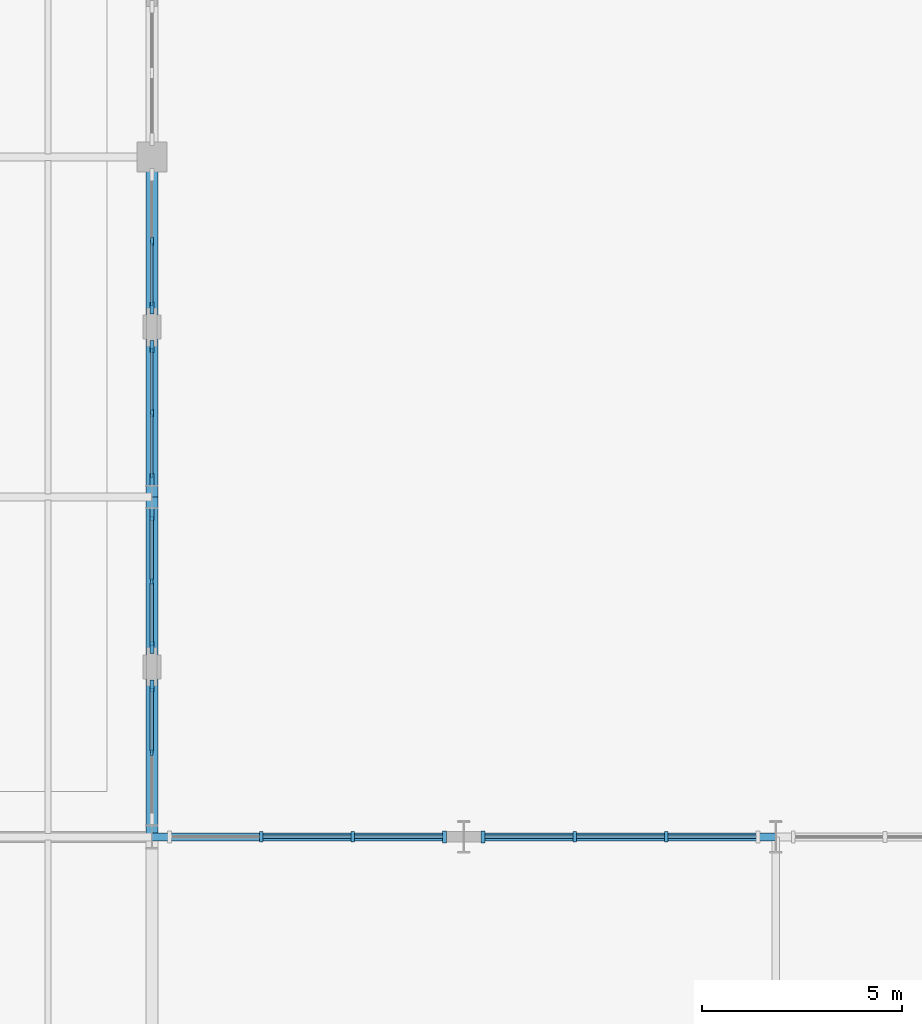
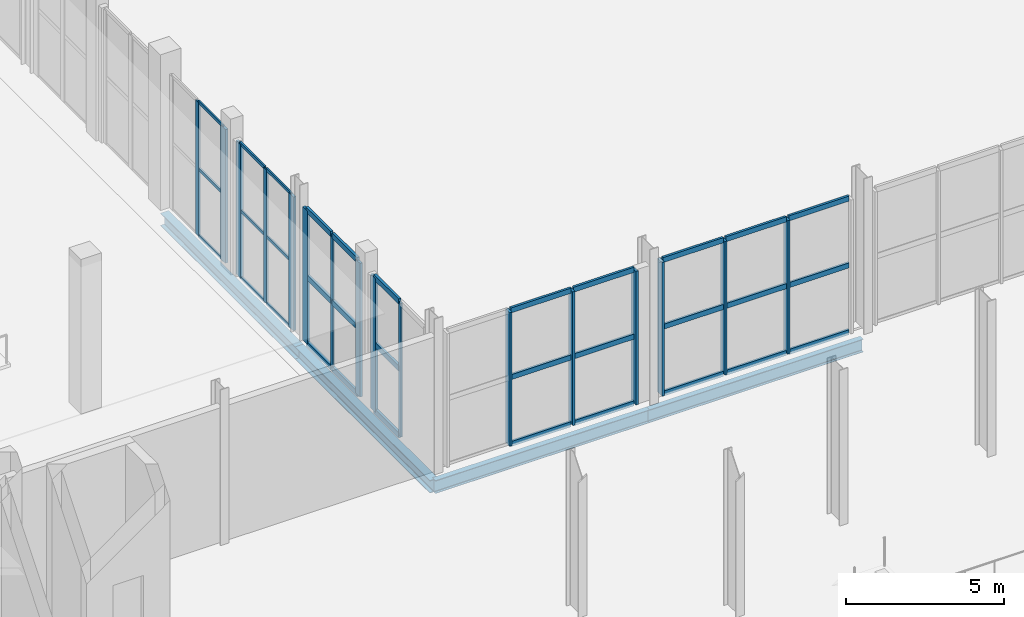
# One storey, part 22 of 84: 49 members, 4 beams, 6 elements without a shape of their own.
"""IFC4 building model written with IfcOpenShell, lengths in metres."""

from ifc_helpers import new_model, si_unit, direction, frame, origin, origin_2d, place, context, subcontext, project, spatial, rectangle, i_section, extrude, material, layer, layer_set, material_profile, profile_set, type_object, element, aggregate, save


model = new_model("IFC4")

# Units and contexts
model_context = context("Model", 3, precision=1e-05, world=origin(), true_north=direction((0.0, 1.0)))
body_context = subcontext(model_context, "Body", "Model", "MODEL_VIEW")
ifc_project = project(units=[si_unit("LENGTHUNIT", "METRE"), si_unit("AREAUNIT", "SQUARE_METRE"), si_unit("VOLUMEUNIT", "CUBIC_METRE"), si_unit("PLANEANGLEUNIT", "RADIAN"), si_unit("MASSUNIT", "GRAM", prefix="KILO")], contexts=[model_context])

# Site, building, storey
site_placement = place(None, origin())
site = spatial("IfcSite", under=ifc_project, at=site_placement, CompositionType="ELEMENT")
building_placement = place(site_placement, origin())
building = spatial("IfcBuilding", under=site, at=building_placement, Name="Sefraquen Railside Congress Hotel", CompositionType="ELEMENT")
storey_placement = place(building_placement, origin())
storey = spatial("IfcBuildingStorey", under=building, at=storey_placement, Name="L00", CompositionType="ELEMENT", Elevation=0.0)

# Beams
ifc_material_1 = material(Name="Steel S355JR", Category="steel")
ifc_material_profile_1 = material_profile(ifc_material_1, i_section(OverallWidth=0.199951171875, OverallDepth=0.5, WebThickness=0.01025390625, FlangeThickness=0.01611328125, FilletRadius=0.02099609375, at=origin_2d()), Name="IPE 500")
ifc_profile_set_1 = profile_set([ifc_material_profile_1], Name="Steel S355JR")
beam_type_1 = type_object("IfcBeamType", Name="TB-BM-500", PredefinedType="BEAM", material=ifc_profile_set_1)
beam_1_placement = place(storey_placement, frame((48.60009765625, 54.0, -0.64990234375), z_axis=(1.0, 0.0, 0.0), x_axis=(0.0, 1.0, 0.0)))
element("IfcBeam", 1, at=beam_1_placement, inside=storey, type_object=beam_type_1, Name="Primary girder BM-L00-0057", PredefinedType="BEAM", context=body_context, shape_type="SweptSolid", body=[
    extrude(i_section(OverallWidth=0.199951171875, OverallDepth=0.5, WebThickness=0.01025390625, FlangeThickness=0.01611328125, FilletRadius=0.02099609375, at=origin_2d()), origin(), (0.0, 0.0, 1.0), 7.7998046875),
])
beam_2_placement = place(storey_placement, frame((56.39990234375, 54.0, -0.64990234375), z_axis=(1.0, 0.0, 0.0), x_axis=(0.0, 1.0, 0.0)))
element("IfcBeam", 2, at=beam_2_placement, inside=storey, type_object=beam_type_1, Name="Primary girder BM-L00-0058", PredefinedType="BEAM", context=body_context, shape_type="SweptSolid", body=[
    extrude(i_section(OverallWidth=0.199951171875, OverallDepth=0.5, WebThickness=0.01025390625, FlangeThickness=0.01611328125, FilletRadius=0.02099609375, at=origin_2d()), origin(), (0.0, 0.0, 1.0), 7.800048828125),
])
ifc_material_profile_2 = material_profile(ifc_material_1, i_section(OverallWidth=0.300048828125, OverallDepth=0.489990234375, WebThickness=0.011962890625, FlangeThickness=0.02294921875, FilletRadius=0.027099609375, at=origin_2d()), Name="HEA 500")
ifc_profile_set_2 = profile_set([ifc_material_profile_2], Name="Steel S355JR")
beam_type_2 = type_object("IfcBeamType", Name="TB-GIR-500", PredefinedType="T_BEAM", material=ifc_profile_set_2)
for number, where, z_axis, x_axis, name in (
    (3, (48.60009765625, 54.0, -0.64501953125), (0.0, 1.0, 0.0), (-1.0, 0.0, 0.0), "Floor beam BM-L00-0228"),
    (4, (48.60009765625, 62.5, -0.64501953125), (0.0, 1.0, 0.0), (-1.0, 0.0, 0.0), "Floor beam BM-L00-0229"),
):
    element("IfcBeam", number, at=place(storey_placement, frame(where, z_axis=z_axis, x_axis=x_axis)), inside=storey, type_object=beam_type_2, Name=name, PredefinedType="T_BEAM", context=body_context, shape_type="SweptSolid", body=[
        extrude(i_section(OverallWidth=0.300048828125, OverallDepth=0.489990234375, WebThickness=0.011962890625, FlangeThickness=0.02294921875, FilletRadius=0.027099609375, at=origin_2d()), origin(), (0.0, 0.0, 1.0), 8.5),
    ])

# Curtain wall, member
ifc_material_2 = material(Name="Thermally broken anodised aluminium and low-E double glazing", Category="aluminium")
ifc_layer_1 = layer(ifc_material_2, 0.199951171875)
ifc_layer_set_1 = layer_set([ifc_layer_1], Name="Thermally broken anodised aluminium and low-E double glazing")
curtain_wall_type_1 = type_object("IfcCurtainWallType", Name="TCW-UCW-15", PredefinedType="USERDEFINED", material=ifc_layer_set_1)
curtain_wall_1_placement = place(storey_placement, origin())
curtain_wall_1 = element("IfcCurtainWall", 5, at=curtain_wall_1_placement, inside=storey, type_object=curtain_wall_type_1, Name="Courtyard west arcade curtain wall UCW-15", ObjectType="UNITISED CURTAIN WALL", PredefinedType="USERDEFINED")
ifc_material_3 = material(Name="Thermally broken anodised aluminium 6063-T6", Category="aluminium")
ifc_material_profile_3 = material_profile(ifc_material_3, rectangle(XDim=0.06005859375, YDim=0.159912109375, at=origin_2d()), Name="CWM 60x160")
ifc_profile_set_3 = profile_set([ifc_material_profile_3], Name="Thermally broken anodised aluminium 6063-T6")
member_type_1 = type_object("IfcMemberType", Name="TM-CWM-01", PredefinedType="MULLION", material=ifc_profile_set_3)
member_1_placement = place(storey_placement, frame((48.60009765625, 56.10498046875, 0.0), z_axis=(0.0, 0.0, 1.0), x_axis=(1.0, 0.0, 0.0)))
member_1 = element("IfcMember", 6, at=member_1_placement, type_object=member_type_1, Name="CW-L00-015 mullion 2", PredefinedType="MULLION", context=body_context, shape_type="SweptSolid", body=[
    extrude(rectangle(XDim=0.06005859375, YDim=0.159912109375, at=origin_2d()), origin(), (0.0, 0.0, 1.0), 5.14990234375),
])

curtain_wall_2_placement = place(storey_placement, origin())
curtain_wall_2 = element("IfcCurtainWall", 7, at=curtain_wall_2_placement, inside=storey, type_object=curtain_wall_type_1, Name="Courtyard west arcade curtain wall UCW-15 bay 2", ObjectType="UNITISED CURTAIN WALL", PredefinedType="USERDEFINED")
member_2_placement = place(storey_placement, frame((48.60009765625, 60.39501953125, 0.0), z_axis=(0.0, 0.0, 1.0), x_axis=(1.0, 0.0, 0.0)))
member_2 = element("IfcMember", 8, at=member_2_placement, type_object=member_type_1, Name="CW-L00-015-S2 mullion 2", PredefinedType="MULLION", context=body_context, shape_type="SweptSolid", body=[
    extrude(rectangle(XDim=0.06005859375, YDim=0.159912109375, at=origin_2d()), origin(), (0.0, 0.0, 1.0), 5.14990234375),
])

ifc_layer_2 = layer(ifc_material_2, 0.199951171875)
ifc_layer_set_2 = layer_set([ifc_layer_2], Name="Thermally broken anodised aluminium and low-E double glazing")
curtain_wall_type_2 = type_object("IfcCurtainWallType", Name="TCW-UCW-17", PredefinedType="USERDEFINED", material=ifc_layer_set_2)
curtain_wall_3_placement = place(storey_placement, origin())
curtain_wall_3 = element("IfcCurtainWall", 9, at=curtain_wall_3_placement, inside=storey, type_object=curtain_wall_type_2, Name="Courtyard west arcade curtain wall UCW-17", ObjectType="UNITISED CURTAIN WALL", PredefinedType="USERDEFINED")
ifc_material_profile_4 = material_profile(ifc_material_3, rectangle(XDim=0.070068359375, YDim=0.199951171875, at=origin_2d()), Name="CWM 70x200")
ifc_profile_set_4 = profile_set([ifc_material_profile_4], Name="Thermally broken anodised aluminium 6063-T6")
member_type_2 = type_object("IfcMemberType", Name="TM-CWM-03", PredefinedType="MULLION", material=ifc_profile_set_4)
member_3_placement = place(storey_placement, frame((48.60009765625, 64.60498046875, 0.0), z_axis=(0.0, 0.0, 1.0), x_axis=(1.0, 0.0, 0.0)))
member_3 = element("IfcMember", 10, at=member_3_placement, type_object=member_type_2, Name="CW-L00-017 mullion 2", PredefinedType="MULLION", context=body_context, shape_type="SweptSolid", body=[
    extrude(rectangle(XDim=0.070068359375, YDim=0.199951171875, at=origin_2d()), origin(), (0.0, 0.0, 1.0), 5.14990234375),
])

curtain_wall_4_placement = place(storey_placement, origin())
curtain_wall_4 = element("IfcCurtainWall", 11, at=curtain_wall_4_placement, inside=storey, type_object=curtain_wall_type_2, Name="Courtyard west arcade curtain wall UCW-17 bay 2", ObjectType="UNITISED CURTAIN WALL", PredefinedType="USERDEFINED")
member_4_placement = place(storey_placement, frame((48.60009765625, 68.89501953125, 0.0), z_axis=(0.0, 0.0, 1.0), x_axis=(1.0, 0.0, 0.0)))
member_4 = element("IfcMember", 12, at=member_4_placement, type_object=member_type_2, Name="CW-L00-017-S2 mullion 2", PredefinedType="MULLION", context=body_context, shape_type="SweptSolid", body=[
    extrude(rectangle(XDim=0.070068359375, YDim=0.199951171875, at=origin_2d()), origin(), (0.0, 0.0, 1.0), 5.14990234375),
])

# Curtain wall, members
ifc_layer_3 = layer(ifc_material_2, 0.199951171875)
ifc_layer_set_3 = layer_set([ifc_layer_3], Name="Thermally broken anodised aluminium and low-E double glazing")
curtain_wall_type_3 = type_object("IfcCurtainWallType", Name="TCW-UCW-06", PredefinedType="USERDEFINED", material=ifc_layer_set_3)
curtain_wall_5_placement = place(storey_placement, origin())
curtain_wall_5 = element("IfcCurtainWall", 13, at=curtain_wall_5_placement, inside=storey, type_object=curtain_wall_type_3, Name="Congress courtyard north curtain wall L00-1", ObjectType="UNITISED CURTAIN WALL", PredefinedType="USERDEFINED")
ifc_material_profile_5 = material_profile(ifc_material_3, rectangle(XDim=0.0849609375, YDim=0.260009765625, at=origin_2d()), Name="CWM 85x260")
ifc_profile_set_5 = profile_set([ifc_material_profile_5], Name="Thermally broken anodised aluminium 6063-T6")
member_type_3 = type_object("IfcMemberType", Name="TM-CWM-06", PredefinedType="MULLION", material=ifc_profile_set_5)
member_5_placement = place(storey_placement, frame((51.333251953125, 54.0, 0.0), z_axis=(0.0, 0.0, 1.0), x_axis=(1.0, 0.0, 0.0)))
member_5 = element("IfcMember", 14, at=member_5_placement, type_object=member_type_3, Name="CW-L00-006 mullion 2", PredefinedType="MULLION", context=body_context, shape_type="SweptSolid", body=[
    extrude(rectangle(XDim=0.0849609375, YDim=0.260009765625, at=origin_2d()), origin(), (0.0, 0.0, 1.0), 5.14990234375),
])
member_6_placement = place(storey_placement, frame((53.626708984375, 54.0, 0.0), z_axis=(0.0, 0.0, 1.0), x_axis=(1.0, 0.0, 0.0)))
member_6 = element("IfcMember", 15, at=member_6_placement, type_object=member_type_3, Name="CW-L00-006 mullion 3", PredefinedType="MULLION", context=body_context, shape_type="SweptSolid", body=[
    extrude(rectangle(XDim=0.0849609375, YDim=0.260009765625, at=origin_2d()), origin(), (0.0, 0.0, 1.0), 5.14990234375),
])

curtain_wall_6_placement = place(storey_placement, origin())
curtain_wall_6 = element("IfcCurtainWall", 16, at=curtain_wall_6_placement, inside=storey, type_object=curtain_wall_type_3, Name="Congress courtyard north curtain wall L00-1 bay 2", ObjectType="UNITISED CURTAIN WALL", PredefinedType="USERDEFINED")
member_7_placement = place(storey_placement, frame((59.17333984375, 54.0, 0.0), z_axis=(0.0, 0.0, 1.0), x_axis=(1.0, 0.0, 0.0)))
member_7 = element("IfcMember", 17, at=member_7_placement, type_object=member_type_3, Name="CW-L00-006-S2 mullion 2", PredefinedType="MULLION", context=body_context, shape_type="SweptSolid", body=[
    extrude(rectangle(XDim=0.0849609375, YDim=0.260009765625, at=origin_2d()), origin(), (0.0, 0.0, 1.0), 5.14990234375),
])
member_8_placement = place(storey_placement, frame((61.466796875, 54.0, 0.0), z_axis=(0.0, 0.0, 1.0), x_axis=(1.0, 0.0, 0.0)))
member_8 = element("IfcMember", 18, at=member_8_placement, type_object=member_type_3, Name="CW-L00-006-S2 mullion 3", PredefinedType="MULLION", context=body_context, shape_type="SweptSolid", body=[
    extrude(rectangle(XDim=0.0849609375, YDim=0.260009765625, at=origin_2d()), origin(), (0.0, 0.0, 1.0), 5.14990234375),
])

# Member
ifc_material_profile_6 = material_profile(ifc_material_3, rectangle(XDim=0.094970703125, YDim=0.300048828125, at=origin_2d()), Name="CWM 95x300")
ifc_profile_set_6 = profile_set([ifc_material_profile_6], Name="Thermally broken anodised aluminium 6063-T6")
member_type_4 = type_object("IfcMemberType", Name="TM-CWM-08", PredefinedType="MULLION", material=ifc_profile_set_6)
member_9_placement = place(storey_placement, frame((55.919921875, 54.0, 0.0), z_axis=(0.0, 0.0, 1.0), x_axis=(1.0, 0.0, 0.0)))
member_9 = element("IfcMember", 19, at=member_9_placement, type_object=member_type_4, Name="CW-L00-006 mullion 4", PredefinedType="MULLION", context=body_context, shape_type="SweptSolid", body=[
    extrude(rectangle(XDim=0.094970703125, YDim=0.300048828125, at=origin_2d()), origin(), (0.0, 0.0, 1.0), 5.14990234375),
])

member_10_placement = place(storey_placement, frame((56.8798828125, 54.0, 0.0), z_axis=(0.0, 0.0, 1.0), x_axis=(1.0, 0.0, 0.0)))
member_10 = element("IfcMember", 20, at=member_10_placement, type_object=member_type_4, Name="CW-L00-006-S2 mullion 1", PredefinedType="MULLION", context=body_context, shape_type="SweptSolid", body=[
    extrude(rectangle(XDim=0.094970703125, YDim=0.300048828125, at=origin_2d()), origin(), (0.0, 0.0, 1.0), 5.14990234375),
])

member_11_placement = place(storey_placement, frame((48.60009765625, 57.77001953125, 0.0), z_axis=(0.0, 0.0, 1.0), x_axis=(1.0, 0.0, 0.0)))
member_11 = element("IfcMember", 21, at=member_11_placement, type_object=member_type_4, Name="CW-L00-015 mullion 3", PredefinedType="MULLION", context=body_context, shape_type="SweptSolid", body=[
    extrude(rectangle(XDim=0.094970703125, YDim=0.300048828125, at=origin_2d()), origin(), (0.0, 0.0, 1.0), 5.14990234375),
])

member_12_placement = place(storey_placement, frame((48.60009765625, 58.72998046875, 0.0), z_axis=(0.0, 0.0, 1.0), x_axis=(1.0, 0.0, 0.0)))
member_12 = element("IfcMember", 22, at=member_12_placement, type_object=member_type_4, Name="CW-L00-015-S2 mullion 1", PredefinedType="MULLION", context=body_context, shape_type="SweptSolid", body=[
    extrude(rectangle(XDim=0.094970703125, YDim=0.300048828125, at=origin_2d()), origin(), (0.0, 0.0, 1.0), 5.14990234375),
])

member_13_placement = place(storey_placement, frame((48.60009765625, 62.06005859375, 0.0), z_axis=(0.0, 0.0, 1.0), x_axis=(1.0, 0.0, 0.0)))
member_13 = element("IfcMember", 23, at=member_13_placement, type_object=member_type_4, Name="CW-L00-015-S2 mullion 3", PredefinedType="MULLION", context=body_context, shape_type="SweptSolid", body=[
    extrude(rectangle(XDim=0.094970703125, YDim=0.300048828125, at=origin_2d()), origin(), (0.0, 0.0, 1.0), 5.14990234375),
])

member_14_placement = place(storey_placement, frame((48.60009765625, 62.93994140625, 0.0), z_axis=(0.0, 0.0, 1.0), x_axis=(1.0, 0.0, 0.0)))
member_14 = element("IfcMember", 24, at=member_14_placement, type_object=member_type_4, Name="CW-L00-017 mullion 1", PredefinedType="MULLION", context=body_context, shape_type="SweptSolid", body=[
    extrude(rectangle(XDim=0.094970703125, YDim=0.300048828125, at=origin_2d()), origin(), (0.0, 0.0, 1.0), 5.14990234375),
])

member_15_placement = place(storey_placement, frame((48.60009765625, 66.27001953125, 0.0), z_axis=(0.0, 0.0, 1.0), x_axis=(1.0, 0.0, 0.0)))
member_15 = element("IfcMember", 25, at=member_15_placement, type_object=member_type_4, Name="CW-L00-017 mullion 3", PredefinedType="MULLION", context=body_context, shape_type="SweptSolid", body=[
    extrude(rectangle(XDim=0.094970703125, YDim=0.300048828125, at=origin_2d()), origin(), (0.0, 0.0, 1.0), 5.14990234375),
])

member_16_placement = place(storey_placement, frame((48.60009765625, 67.22998046875, 0.0), z_axis=(0.0, 0.0, 1.0), x_axis=(1.0, 0.0, 0.0)))
member_16 = element("IfcMember", 26, at=member_16_placement, type_object=member_type_4, Name="CW-L00-017-S2 mullion 1", PredefinedType="MULLION", context=body_context, shape_type="SweptSolid", body=[
    extrude(rectangle(XDim=0.094970703125, YDim=0.300048828125, at=origin_2d()), origin(), (0.0, 0.0, 1.0), 5.14990234375),
])

ifc_material_profile_7 = material_profile(ifc_material_3, rectangle(XDim=0.06005859375, YDim=0.1201171875, at=origin_2d()), Name="CWT 60x120")
ifc_profile_set_7 = profile_set([ifc_material_profile_7], Name="Thermally broken anodised aluminium 6063-T6")
member_type_5 = type_object("IfcMemberType", Name="TM-CWT-01", PredefinedType="USERDEFINED", material=ifc_profile_set_7)
member_17_placement = place(storey_placement, frame((48.60009765625, 62.985107421875, 0.0), z_axis=(0.0, 1.0, 0.0), x_axis=(-1.0, 0.0, 0.0)))
member_17 = element("IfcMember", 27, at=member_17_placement, type_object=member_type_5, Name="CW-L00-017 transom 1.1", ObjectType="TRANSOM", PredefinedType="USERDEFINED", context=body_context, shape_type="SweptSolid", body=[
    extrude(rectangle(XDim=0.06005859375, YDim=0.1201171875, at=origin_2d()), origin(), (0.0, 0.0, 1.0), 1.574951171875),
])

member_18_placement = place(storey_placement, frame((48.60009765625, 64.64990234375, 0.0), z_axis=(0.0, 1.0, 0.0), x_axis=(-1.0, 0.0, 0.0)))
member_18 = element("IfcMember", 28, at=member_18_placement, type_object=member_type_5, Name="CW-L00-017 transom 1.2", ObjectType="TRANSOM", PredefinedType="USERDEFINED", context=body_context, shape_type="SweptSolid", body=[
    extrude(rectangle(XDim=0.06005859375, YDim=0.1201171875, at=origin_2d()), origin(), (0.0, 0.0, 1.0), 1.5751953125),
])

member_19_placement = place(storey_placement, frame((48.60009765625, 62.985107421875, 2.574951171875), z_axis=(0.0, 1.0, 0.0), x_axis=(-1.0, 0.0, 0.0)))
member_19 = element("IfcMember", 29, at=member_19_placement, type_object=member_type_5, Name="CW-L00-017 transom 2.1", ObjectType="TRANSOM", PredefinedType="USERDEFINED", context=body_context, shape_type="SweptSolid", body=[
    extrude(rectangle(XDim=0.06005859375, YDim=0.1201171875, at=origin_2d()), origin(), (0.0, 0.0, 1.0), 1.574951171875),
])

member_20_placement = place(storey_placement, frame((48.60009765625, 64.64990234375, 2.574951171875), z_axis=(0.0, 1.0, 0.0), x_axis=(-1.0, 0.0, 0.0)))
member_20 = element("IfcMember", 30, at=member_20_placement, type_object=member_type_5, Name="CW-L00-017 transom 2.2", ObjectType="TRANSOM", PredefinedType="USERDEFINED", context=body_context, shape_type="SweptSolid", body=[
    extrude(rectangle(XDim=0.06005859375, YDim=0.1201171875, at=origin_2d()), origin(), (0.0, 0.0, 1.0), 1.5751953125),
])

member_21_placement = place(storey_placement, frame((48.60009765625, 62.985107421875, 5.14990234375), z_axis=(0.0, 1.0, 0.0), x_axis=(-1.0, 0.0, 0.0)))
member_21 = element("IfcMember", 31, at=member_21_placement, type_object=member_type_5, Name="CW-L00-017 transom 3.1", ObjectType="TRANSOM", PredefinedType="USERDEFINED", context=body_context, shape_type="SweptSolid", body=[
    extrude(rectangle(XDim=0.06005859375, YDim=0.1201171875, at=origin_2d()), origin(), (0.0, 0.0, 1.0), 1.574951171875),
])

member_22_placement = place(storey_placement, frame((48.60009765625, 64.64990234375, 5.14990234375), z_axis=(0.0, 1.0, 0.0), x_axis=(-1.0, 0.0, 0.0)))
member_22 = element("IfcMember", 32, at=member_22_placement, type_object=member_type_5, Name="CW-L00-017 transom 3.2", ObjectType="TRANSOM", PredefinedType="USERDEFINED", context=body_context, shape_type="SweptSolid", body=[
    extrude(rectangle(XDim=0.06005859375, YDim=0.1201171875, at=origin_2d()), origin(), (0.0, 0.0, 1.0), 1.5751953125),
])

aggregate(curtain_wall_3, [member_14, member_3, member_15, member_17, member_18, member_19, member_20, member_21, member_22])

member_23_placement = place(storey_placement, frame((48.60009765625, 67.27490234375, 0.0), z_axis=(0.0, 1.0, 0.0), x_axis=(-1.0, 0.0, 0.0)))
member_23 = element("IfcMember", 33, at=member_23_placement, type_object=member_type_5, Name="CW-L00-017-S2 transom 1.1", ObjectType="TRANSOM", PredefinedType="USERDEFINED", context=body_context, shape_type="SweptSolid", body=[
    extrude(rectangle(XDim=0.06005859375, YDim=0.1201171875, at=origin_2d()), origin(), (0.0, 0.0, 1.0), 1.5751953125),
])

member_24_placement = place(storey_placement, frame((48.60009765625, 67.27490234375, 2.574951171875), z_axis=(0.0, 1.0, 0.0), x_axis=(-1.0, 0.0, 0.0)))
member_24 = element("IfcMember", 34, at=member_24_placement, type_object=member_type_5, Name="CW-L00-017-S2 transom 2.1", ObjectType="TRANSOM", PredefinedType="USERDEFINED", context=body_context, shape_type="SweptSolid", body=[
    extrude(rectangle(XDim=0.06005859375, YDim=0.1201171875, at=origin_2d()), origin(), (0.0, 0.0, 1.0), 1.5751953125),
])

member_25_placement = place(storey_placement, frame((48.60009765625, 67.27490234375, 5.14990234375), z_axis=(0.0, 1.0, 0.0), x_axis=(-1.0, 0.0, 0.0)))
member_25 = element("IfcMember", 35, at=member_25_placement, type_object=member_type_5, Name="CW-L00-017-S2 transom 3.1", ObjectType="TRANSOM", PredefinedType="USERDEFINED", context=body_context, shape_type="SweptSolid", body=[
    extrude(rectangle(XDim=0.06005859375, YDim=0.1201171875, at=origin_2d()), origin(), (0.0, 0.0, 1.0), 1.5751953125),
])

aggregate(curtain_wall_4, [member_16, member_4, member_23, member_24, member_25])

ifc_material_profile_8 = material_profile(ifc_material_3, rectangle(XDim=0.0849609375, YDim=0.195068359375, at=origin_2d()), Name="CWT 85x195")
ifc_profile_set_8 = profile_set([ifc_material_profile_8], Name="Thermally broken anodised aluminium 6063-T6")
member_type_6 = type_object("IfcMemberType", Name="TM-CWT-06", PredefinedType="USERDEFINED", material=ifc_profile_set_8)
member_26_placement = place(storey_placement, frame((51.37841796875, 54.0, 0.0), z_axis=(1.0, 0.0, 0.0), x_axis=(0.0, 1.0, 0.0)))
member_26 = element("IfcMember", 36, at=member_26_placement, type_object=member_type_6, Name="CW-L00-006 transom 1.2", ObjectType="TRANSOM", PredefinedType="USERDEFINED", context=body_context, shape_type="SweptSolid", body=[
    extrude(rectangle(XDim=0.0849609375, YDim=0.195068359375, at=origin_2d()), origin(), (0.0, 0.0, 1.0), 2.203369140625),
])

member_27_placement = place(storey_placement, frame((53.671630859375, 54.0, 0.0), z_axis=(1.0, 0.0, 0.0), x_axis=(0.0, 1.0, 0.0)))
member_27 = element("IfcMember", 37, at=member_27_placement, type_object=member_type_6, Name="CW-L00-006 transom 1.3", ObjectType="TRANSOM", PredefinedType="USERDEFINED", context=body_context, shape_type="SweptSolid", body=[
    extrude(rectangle(XDim=0.0849609375, YDim=0.195068359375, at=origin_2d()), origin(), (0.0, 0.0, 1.0), 2.203369140625),
])

member_28_placement = place(storey_placement, frame((51.37841796875, 54.0, 2.574951171875), z_axis=(1.0, 0.0, 0.0), x_axis=(0.0, 1.0, 0.0)))
member_28 = element("IfcMember", 38, at=member_28_placement, type_object=member_type_6, Name="CW-L00-006 transom 2.2", ObjectType="TRANSOM", PredefinedType="USERDEFINED", context=body_context, shape_type="SweptSolid", body=[
    extrude(rectangle(XDim=0.0849609375, YDim=0.195068359375, at=origin_2d()), origin(), (0.0, 0.0, 1.0), 2.203369140625),
])

member_29_placement = place(storey_placement, frame((53.671630859375, 54.0, 2.574951171875), z_axis=(1.0, 0.0, 0.0), x_axis=(0.0, 1.0, 0.0)))
member_29 = element("IfcMember", 39, at=member_29_placement, type_object=member_type_6, Name="CW-L00-006 transom 2.3", ObjectType="TRANSOM", PredefinedType="USERDEFINED", context=body_context, shape_type="SweptSolid", body=[
    extrude(rectangle(XDim=0.0849609375, YDim=0.195068359375, at=origin_2d()), origin(), (0.0, 0.0, 1.0), 2.203369140625),
])

member_30_placement = place(storey_placement, frame((51.37841796875, 54.0, 5.14990234375), z_axis=(1.0, 0.0, 0.0), x_axis=(0.0, 1.0, 0.0)))
member_30 = element("IfcMember", 40, at=member_30_placement, type_object=member_type_6, Name="CW-L00-006 transom 3.2", ObjectType="TRANSOM", PredefinedType="USERDEFINED", context=body_context, shape_type="SweptSolid", body=[
    extrude(rectangle(XDim=0.0849609375, YDim=0.195068359375, at=origin_2d()), origin(), (0.0, 0.0, 1.0), 2.203369140625),
])

member_31_placement = place(storey_placement, frame((53.671630859375, 54.0, 5.14990234375), z_axis=(1.0, 0.0, 0.0), x_axis=(0.0, 1.0, 0.0)))
member_31 = element("IfcMember", 41, at=member_31_placement, type_object=member_type_6, Name="CW-L00-006 transom 3.3", ObjectType="TRANSOM", PredefinedType="USERDEFINED", context=body_context, shape_type="SweptSolid", body=[
    extrude(rectangle(XDim=0.0849609375, YDim=0.195068359375, at=origin_2d()), origin(), (0.0, 0.0, 1.0), 2.203369140625),
])

aggregate(curtain_wall_5, [member_5, member_6, member_9, member_26, member_27, member_28, member_29, member_30, member_31])

member_32_placement = place(storey_placement, frame((56.925048828125, 54.0, 0.0), z_axis=(1.0, 0.0, 0.0), x_axis=(0.0, 1.0, 0.0)))
member_32 = element("IfcMember", 42, at=member_32_placement, type_object=member_type_6, Name="CW-L00-006-S2 transom 1.1", ObjectType="TRANSOM", PredefinedType="USERDEFINED", context=body_context, shape_type="SweptSolid", body=[
    extrude(rectangle(XDim=0.0849609375, YDim=0.195068359375, at=origin_2d()), origin(), (0.0, 0.0, 1.0), 2.203369140625),
])

member_33_placement = place(storey_placement, frame((59.21826171875, 54.0, 0.0), z_axis=(1.0, 0.0, 0.0), x_axis=(0.0, 1.0, 0.0)))
member_33 = element("IfcMember", 43, at=member_33_placement, type_object=member_type_6, Name="CW-L00-006-S2 transom 1.2", ObjectType="TRANSOM", PredefinedType="USERDEFINED", context=body_context, shape_type="SweptSolid", body=[
    extrude(rectangle(XDim=0.0849609375, YDim=0.195068359375, at=origin_2d()), origin(), (0.0, 0.0, 1.0), 2.203369140625),
])

member_34_placement = place(storey_placement, frame((61.51171875, 54.0, 0.0), z_axis=(1.0, 0.0, 0.0), x_axis=(0.0, 1.0, 0.0)))
member_34 = element("IfcMember", 44, at=member_34_placement, type_object=member_type_6, Name="CW-L00-006-S2 transom 1.3", ObjectType="TRANSOM", PredefinedType="USERDEFINED", context=body_context, shape_type="SweptSolid", body=[
    extrude(rectangle(XDim=0.0849609375, YDim=0.195068359375, at=origin_2d()), origin(), (0.0, 0.0, 1.0), 2.203369140625),
])

member_35_placement = place(storey_placement, frame((56.925048828125, 54.0, 2.574951171875), z_axis=(1.0, 0.0, 0.0), x_axis=(0.0, 1.0, 0.0)))
member_35 = element("IfcMember", 45, at=member_35_placement, type_object=member_type_6, Name="CW-L00-006-S2 transom 2.1", ObjectType="TRANSOM", PredefinedType="USERDEFINED", context=body_context, shape_type="SweptSolid", body=[
    extrude(rectangle(XDim=0.0849609375, YDim=0.195068359375, at=origin_2d()), origin(), (0.0, 0.0, 1.0), 2.203369140625),
])

member_36_placement = place(storey_placement, frame((59.21826171875, 54.0, 2.574951171875), z_axis=(1.0, 0.0, 0.0), x_axis=(0.0, 1.0, 0.0)))
member_36 = element("IfcMember", 46, at=member_36_placement, type_object=member_type_6, Name="CW-L00-006-S2 transom 2.2", ObjectType="TRANSOM", PredefinedType="USERDEFINED", context=body_context, shape_type="SweptSolid", body=[
    extrude(rectangle(XDim=0.0849609375, YDim=0.195068359375, at=origin_2d()), origin(), (0.0, 0.0, 1.0), 2.203369140625),
])

member_37_placement = place(storey_placement, frame((61.51171875, 54.0, 2.574951171875), z_axis=(1.0, 0.0, 0.0), x_axis=(0.0, 1.0, 0.0)))
member_37 = element("IfcMember", 47, at=member_37_placement, type_object=member_type_6, Name="CW-L00-006-S2 transom 2.3", ObjectType="TRANSOM", PredefinedType="USERDEFINED", context=body_context, shape_type="SweptSolid", body=[
    extrude(rectangle(XDim=0.0849609375, YDim=0.195068359375, at=origin_2d()), origin(), (0.0, 0.0, 1.0), 2.203369140625),
])

member_38_placement = place(storey_placement, frame((56.925048828125, 54.0, 5.14990234375), z_axis=(1.0, 0.0, 0.0), x_axis=(0.0, 1.0, 0.0)))
member_38 = element("IfcMember", 48, at=member_38_placement, type_object=member_type_6, Name="CW-L00-006-S2 transom 3.1", ObjectType="TRANSOM", PredefinedType="USERDEFINED", context=body_context, shape_type="SweptSolid", body=[
    extrude(rectangle(XDim=0.0849609375, YDim=0.195068359375, at=origin_2d()), origin(), (0.0, 0.0, 1.0), 2.203369140625),
])

member_39_placement = place(storey_placement, frame((59.21826171875, 54.0, 5.14990234375), z_axis=(1.0, 0.0, 0.0), x_axis=(0.0, 1.0, 0.0)))
member_39 = element("IfcMember", 49, at=member_39_placement, type_object=member_type_6, Name="CW-L00-006-S2 transom 3.2", ObjectType="TRANSOM", PredefinedType="USERDEFINED", context=body_context, shape_type="SweptSolid", body=[
    extrude(rectangle(XDim=0.0849609375, YDim=0.195068359375, at=origin_2d()), origin(), (0.0, 0.0, 1.0), 2.203369140625),
])

member_40_placement = place(storey_placement, frame((61.51171875, 54.0, 5.14990234375), z_axis=(1.0, 0.0, 0.0), x_axis=(0.0, 1.0, 0.0)))
member_40 = element("IfcMember", 50, at=member_40_placement, type_object=member_type_6, Name="CW-L00-006-S2 transom 3.3", ObjectType="TRANSOM", PredefinedType="USERDEFINED", context=body_context, shape_type="SweptSolid", body=[
    extrude(rectangle(XDim=0.0849609375, YDim=0.195068359375, at=origin_2d()), origin(), (0.0, 0.0, 1.0), 2.203369140625),
])

aggregate(curtain_wall_6, [member_10, member_7, member_8, member_32, member_33, member_34, member_35, member_36, member_37, member_38, member_39, member_40])

ifc_material_profile_9 = material_profile(ifc_material_3, rectangle(XDim=0.090087890625, YDim=0.2099609375, at=origin_2d()), Name="CWT 90x210")
ifc_profile_set_9 = profile_set([ifc_material_profile_9], Name="Thermally broken anodised aluminium 6063-T6")
member_type_7 = type_object("IfcMemberType", Name="TM-CWT-07", PredefinedType="USERDEFINED", material=ifc_profile_set_9)
member_41_placement = place(storey_placement, frame((48.60009765625, 56.14990234375, 0.0), z_axis=(0.0, 1.0, 0.0), x_axis=(-1.0, 0.0, 0.0)))
member_41 = element("IfcMember", 51, at=member_41_placement, type_object=member_type_7, Name="CW-L00-015 transom 1.2", ObjectType="TRANSOM", PredefinedType="USERDEFINED", context=body_context, shape_type="SweptSolid", body=[
    extrude(rectangle(XDim=0.090087890625, YDim=0.2099609375, at=origin_2d()), origin(), (0.0, 0.0, 1.0), 1.5751953125),
])

member_42_placement = place(storey_placement, frame((48.60009765625, 56.14990234375, 2.574951171875), z_axis=(0.0, 1.0, 0.0), x_axis=(-1.0, 0.0, 0.0)))
member_42 = element("IfcMember", 52, at=member_42_placement, type_object=member_type_7, Name="CW-L00-015 transom 2.2", ObjectType="TRANSOM", PredefinedType="USERDEFINED", context=body_context, shape_type="SweptSolid", body=[
    extrude(rectangle(XDim=0.090087890625, YDim=0.2099609375, at=origin_2d()), origin(), (0.0, 0.0, 1.0), 1.5751953125),
])

member_43_placement = place(storey_placement, frame((48.60009765625, 56.14990234375, 5.14990234375), z_axis=(0.0, 1.0, 0.0), x_axis=(-1.0, 0.0, 0.0)))
member_43 = element("IfcMember", 53, at=member_43_placement, type_object=member_type_7, Name="CW-L00-015 transom 3.2", ObjectType="TRANSOM", PredefinedType="USERDEFINED", context=body_context, shape_type="SweptSolid", body=[
    extrude(rectangle(XDim=0.090087890625, YDim=0.2099609375, at=origin_2d()), origin(), (0.0, 0.0, 1.0), 1.5751953125),
])

aggregate(curtain_wall_1, [member_1, member_11, member_41, member_42, member_43])

member_44_placement = place(storey_placement, frame((48.60009765625, 58.77490234375, 0.0), z_axis=(0.0, 1.0, 0.0), x_axis=(-1.0, 0.0, 0.0)))
member_44 = element("IfcMember", 54, at=member_44_placement, type_object=member_type_7, Name="CW-L00-015-S2 transom 1.1", ObjectType="TRANSOM", PredefinedType="USERDEFINED", context=body_context, shape_type="SweptSolid", body=[
    extrude(rectangle(XDim=0.090087890625, YDim=0.2099609375, at=origin_2d()), origin(), (0.0, 0.0, 1.0), 1.5751953125),
])

member_45_placement = place(storey_placement, frame((48.60009765625, 60.43994140625, 0.0), z_axis=(0.0, 1.0, 0.0), x_axis=(-1.0, 0.0, 0.0)))
member_45 = element("IfcMember", 55, at=member_45_placement, type_object=member_type_7, Name="CW-L00-015-S2 transom 1.2", ObjectType="TRANSOM", PredefinedType="USERDEFINED", context=body_context, shape_type="SweptSolid", body=[
    extrude(rectangle(XDim=0.090087890625, YDim=0.2099609375, at=origin_2d()), origin(), (0.0, 0.0, 1.0), 1.574951171875),
])

member_46_placement = place(storey_placement, frame((48.60009765625, 58.77490234375, 2.574951171875), z_axis=(0.0, 1.0, 0.0), x_axis=(-1.0, 0.0, 0.0)))
member_46 = element("IfcMember", 56, at=member_46_placement, type_object=member_type_7, Name="CW-L00-015-S2 transom 2.1", ObjectType="TRANSOM", PredefinedType="USERDEFINED", context=body_context, shape_type="SweptSolid", body=[
    extrude(rectangle(XDim=0.090087890625, YDim=0.2099609375, at=origin_2d()), origin(), (0.0, 0.0, 1.0), 1.5751953125),
])

member_47_placement = place(storey_placement, frame((48.60009765625, 60.43994140625, 2.574951171875), z_axis=(0.0, 1.0, 0.0), x_axis=(-1.0, 0.0, 0.0)))
member_47 = element("IfcMember", 57, at=member_47_placement, type_object=member_type_7, Name="CW-L00-015-S2 transom 2.2", ObjectType="TRANSOM", PredefinedType="USERDEFINED", context=body_context, shape_type="SweptSolid", body=[
    extrude(rectangle(XDim=0.090087890625, YDim=0.2099609375, at=origin_2d()), origin(), (0.0, 0.0, 1.0), 1.574951171875),
])

member_48_placement = place(storey_placement, frame((48.60009765625, 58.77490234375, 5.14990234375), z_axis=(0.0, 1.0, 0.0), x_axis=(-1.0, 0.0, 0.0)))
member_48 = element("IfcMember", 58, at=member_48_placement, type_object=member_type_7, Name="CW-L00-015-S2 transom 3.1", ObjectType="TRANSOM", PredefinedType="USERDEFINED", context=body_context, shape_type="SweptSolid", body=[
    extrude(rectangle(XDim=0.090087890625, YDim=0.2099609375, at=origin_2d()), origin(), (0.0, 0.0, 1.0), 1.5751953125),
])

member_49_placement = place(storey_placement, frame((48.60009765625, 60.43994140625, 5.14990234375), z_axis=(0.0, 1.0, 0.0), x_axis=(-1.0, 0.0, 0.0)))
member_49 = element("IfcMember", 59, at=member_49_placement, type_object=member_type_7, Name="CW-L00-015-S2 transom 3.2", ObjectType="TRANSOM", PredefinedType="USERDEFINED", context=body_context, shape_type="SweptSolid", body=[
    extrude(rectangle(XDim=0.090087890625, YDim=0.2099609375, at=origin_2d()), origin(), (0.0, 0.0, 1.0), 1.574951171875),
])

aggregate(curtain_wall_2, [member_12, member_2, member_13, member_44, member_45, member_46, member_47, member_48, member_49])

save(model, "model.ifc")
